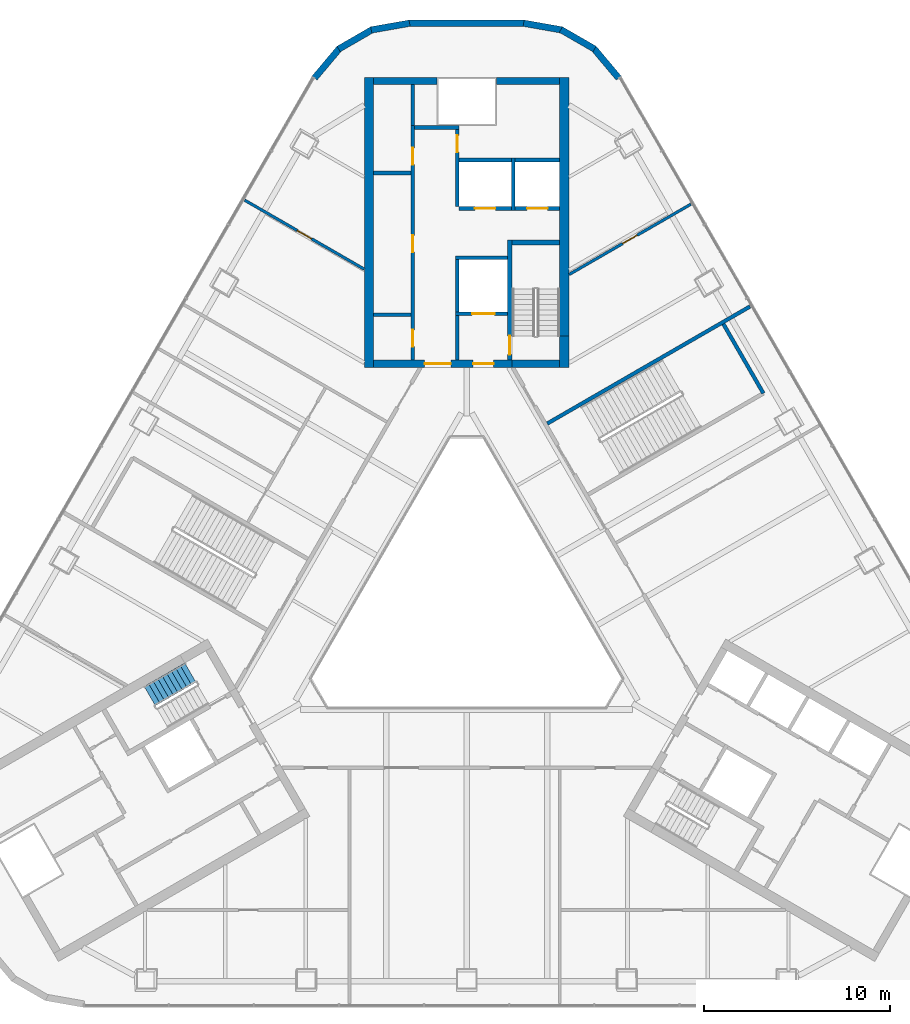
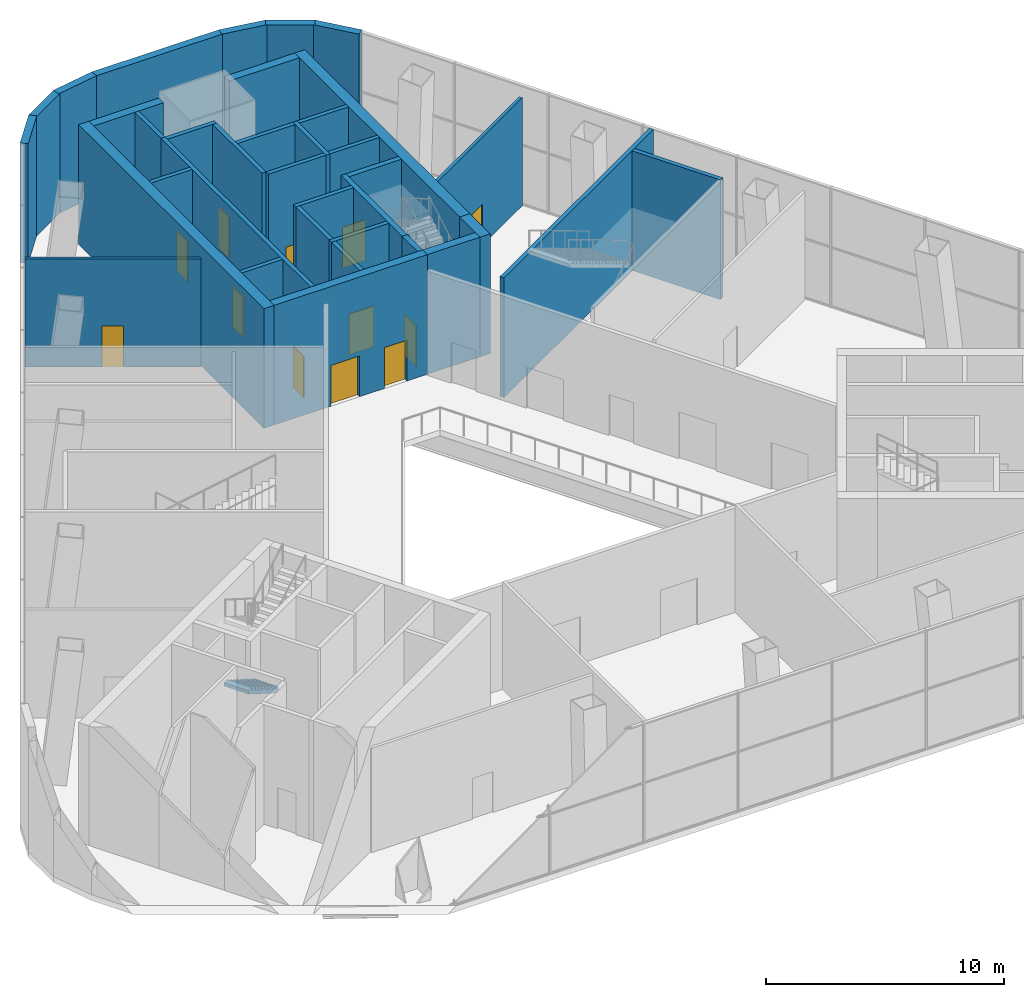
# One storey, part 13 of 17: 36 walls, 12 doors, 1 stair flight, 12 openings, 1 element without a shape of its own.
"""IFC4 building model written with IfcOpenShell, lengths in metres."""

from ifc_helpers import new_model, si_unit, direction, frame, frame_2d, origin, place, context, subcontext, project, spatial, polyline, rectangle, outline, extrude, material, layer, layer_set, type_object, element, fill, aggregate, save


model = new_model("IFC4")

# Units and contexts
model_context = context("Model", 3, precision=1e-05, world=origin(), true_north=direction((0.0, 1.0)))
body_context = subcontext(model_context, "Body", "Model", "MODEL_VIEW")
ifc_project = project(units=[si_unit("LENGTHUNIT", "METRE"), si_unit("AREAUNIT", "SQUARE_METRE"), si_unit("VOLUMEUNIT", "CUBIC_METRE"), si_unit("PLANEANGLEUNIT", "RADIAN"), si_unit("MASSUNIT", "GRAM", prefix="KILO")], contexts=[model_context])

# Site, building, storey
site_placement = place(None, origin())
site = spatial("IfcSite", under=ifc_project, at=site_placement, CompositionType="ELEMENT")
building_placement = place(site_placement, origin())
building = spatial("IfcBuilding", under=site, at=building_placement, Name="Apuvela Tower Hotel", CompositionType="ELEMENT")
storey_placement = place(building_placement, frame((0.0, 0.0, 9.0)))
storey = spatial("IfcBuildingStorey", under=building, at=storey_placement, Name="L01", CompositionType="ELEMENT", Elevation=9.0)

# Walls
ifc_material_1 = material(Name="Concrete C50/60", Category="concrete")
ifc_layer_1 = layer(ifc_material_1, 0.39990234375)
ifc_layer_set_1 = layer_set([ifc_layer_1], Name="COR-WALL-CORE-400")
wall_type_1 = type_object("IfcWallType", Name="COR-WALL-CORE-400", PredefinedType="SHEAR", material=ifc_layer_set_1)
for number, where, z_axis, x_axis, name in (
    (1, (-1.60009765625, 28.300048828125, 0.0), (0.0, 0.0, 1.0), (-1.0, 0.0, 0.0), "Core wall N"),
    (2, (5.0, 28.300048828125, 0.0), (0.0, 0.0, 1.0), (-1.0, 0.0, 0.0), "Core wall N"),
):
    element("IfcWall", number, at=place(storey_placement, frame(where, z_axis=z_axis, x_axis=x_axis)), inside=storey, type_object=wall_type_1, Name=name, PredefinedType="SHEAR", context=body_context, shape_type="SweptSolid", body=[
        extrude(rectangle(XDim=3.39990234375, YDim=0.39990234375, at=frame_2d((1.699951171875, 0.0))), origin(), (0.0, 0.0, 1.0), 6.14990234375),
    ])
wall_1_placement = place(storey_placement, frame((5.0, 13.10009765625, 0.0), z_axis=(0.0, 0.0, 1.0), x_axis=(-1.0, 0.0, 0.0)))
element("IfcWall", 3, at=wall_1_placement, inside=storey, type_object=wall_type_1, Name="Core wall N", PredefinedType="SHEAR", context=body_context, shape_type="SweptSolid", body=[
    extrude(rectangle(XDim=2.550048828125, YDim=0.39990234375, at=frame_2d((1.27490234375, 0.0))), origin(), (0.0, 0.0, 1.0), 6.14990234375),
])

# Wall, openings, doors
wall_2_placement = place(storey_placement, frame((2.449951171875, 13.10009765625, 0.0), z_axis=(0.0, 0.0, 1.0), x_axis=(-1.0, 0.0, 0.0)))
wall_2 = element("IfcWall", 4, at=wall_2_placement, inside=storey, type_object=wall_type_1, Name="Core wall N", PredefinedType="SHEAR", context=body_context, shape_type="SweptSolid", body=[
    extrude(rectangle(XDim=7.449951171875, YDim=0.39990234375, at=frame_2d((3.72509765625, 0.0))), origin(), (0.0, 0.0, 1.0), 6.14990234375),
])
opening_1_placement = place(wall_2_placement, frame((1.0, 0.0, 0.0)))
opening_1 = element("IfcOpeningElement", 5, at=opening_1_placement, cuts=wall_2, Name="Opening N-FD", PredefinedType="OPENING", context=body_context, shape_type="SweptSolid", body=[
    extrude(rectangle(XDim=1.10009765625, YDim=2.10009765625, at=frame_2d((0.550048828125, 1.050048828125))), frame((0.0, 0.2099609375, 0.0), z_axis=(0.0, -1.0, 0.0), x_axis=(1.0, 0.0, 0.0)), (0.0, 0.0, 1.0), 0.419921875),
])
opening_2_placement = place(wall_2_placement, frame((3.300048828125, 0.0, 0.0)))
opening_2 = element("IfcOpeningElement", 6, at=opening_2_placement, cuts=wall_2, Name="Opening N-GD", PredefinedType="OPENING", context=body_context, shape_type="SweptSolid", body=[
    extrude(rectangle(XDim=1.39990234375, YDim=2.10009765625, at=frame_2d((0.699951171875, 1.050048828125))), frame((0.0, 0.2099609375, 0.0), z_axis=(0.0, -1.0, 0.0), x_axis=(1.0, 0.0, 0.0)), (0.0, 0.0, 1.0), 0.419921875),
])
ifc_material_2 = material(Name="Steel fire door, powder coated", Category="steel")
door_type_1 = type_object("IfcDoorType", Name="COR-FD-1100", OperationType="NOTDEFINED", PredefinedType="DOOR", material=ifc_material_2)
door_1_placement = place(opening_1_placement, frame((1.10009765625, 0.0, 0.0), z_axis=(0.0, 0.0, 1.0), x_axis=(-1.0, 0.0, 0.0)))
door_1 = element("IfcDoor", 7, at=door_1_placement, inside=storey, type_object=door_type_1, Name="Firefighting lobby door N-FD", OperationType="SINGLE_SWING_LEFT", OverallHeight=2.10009765625, OverallWidth=1.10009765625, PredefinedType="DOOR", context=body_context, shape_type="SweptSolid", body=[
    extrude(rectangle(XDim=1.10009765625, YDim=2.10009765625, at=frame_2d((0.550048828125, 1.050048828125))), frame((0.0, 0.02490234375, 0.0), z_axis=(0.0, -1.0, 0.0), x_axis=(1.0, 0.0, 0.0)), (0.0, 0.0, 1.0), 0.050048828125),
])
fill(opening_1, door_1)
ifc_material_3 = material(Name="Glazed steel fire door", Category="steel")
door_type_2 = type_object("IfcDoorType", Name="COR-GD-1400", OperationType="DOUBLE_DOOR_SINGLE_SWING", PredefinedType="DOOR", material=ifc_material_3)
door_2_placement = place(opening_2_placement, frame((1.39990234375, 0.0, 0.0), z_axis=(0.0, 0.0, 1.0), x_axis=(-1.0, 0.0, 0.0)))
door_2 = element("IfcDoor", 8, at=door_2_placement, inside=storey, type_object=door_type_2, Name="Lift lobby door N-GD", OperationType="DOUBLE_DOOR_SINGLE_SWING", OverallHeight=2.10009765625, OverallWidth=1.39990234375, PredefinedType="DOOR", context=body_context, shape_type="SweptSolid", body=[
    extrude(rectangle(XDim=1.39990234375, YDim=2.10009765625, at=frame_2d((0.699951171875, 1.050048828125))), frame((0.0, 0.02490234375, 0.0), z_axis=(0.0, -1.0, 0.0), x_axis=(1.0, 0.0, 0.0)), (0.0, 0.0, 1.0), 0.050048828125),
])
fill(opening_2, door_2)

# Walls
ifc_layer_2 = layer(ifc_material_1, 0.5)
ifc_layer_set_2 = layer_set([ifc_layer_2], Name="COR-WALL-CORE-500")
wall_type_2 = type_object("IfcWallType", Name="COR-WALL-CORE-500", PredefinedType="SHEAR", material=ifc_layer_set_2)
wall_3_placement = place(storey_placement, frame((-5.25, 12.89990234375, 0.0), z_axis=(0.0, 0.0, 1.0), x_axis=(0.0, 1.0, 0.0)))
element("IfcWall", 9, at=wall_3_placement, inside=storey, type_object=wall_type_2, Name="Core wall N", PredefinedType="SHEAR", context=body_context, shape_type="SweptSolid", body=[
    extrude(rectangle(XDim=15.60009765625, YDim=0.5, at=frame_2d((7.800048828125, 0.0))), origin(), (0.0, 0.0, 1.0), 6.14990234375),
])
wall_4_placement = place(storey_placement, frame((5.25, 12.89990234375, 0.0), z_axis=(0.0, 0.0, 1.0), x_axis=(0.0, 1.0, 0.0)))
element("IfcWall", 10, at=wall_4_placement, inside=storey, type_object=wall_type_2, Name="Core wall N", PredefinedType="SHEAR", context=body_context, shape_type="SweptSolid", body=[
    extrude(rectangle(XDim=1.7060546875, YDim=0.5, at=frame_2d((0.85302734375, 0.0))), origin(), (0.0, 0.0, 1.0), 6.14990234375),
])
wall_5_placement = place(storey_placement, frame((5.25, 14.60595703125, 0.0), z_axis=(0.0, 0.0, 1.0), x_axis=(0.0, 1.0, 0.0)))
element("IfcWall", 11, at=wall_5_placement, inside=storey, type_object=wall_type_2, Name="Core wall N", PredefinedType="SHEAR", context=body_context, shape_type="SweptSolid", body=[
    extrude(rectangle(XDim=13.89404296875, YDim=0.5, at=frame_2d((6.947021484375, 0.0))), origin(), (0.0, 0.0, 1.0), 6.14990234375),
])

# Wall, opening, door
ifc_material_4 = material(Name="Blockwork 200 mm plastered", Category="masonry")
ifc_layer_3 = layer(ifc_material_4, 0.199951171875)
ifc_layer_set_3 = layer_set([ifc_layer_3], Name="COR-WALL-PART-200")
wall_type_3 = type_object("IfcWallType", Name="COR-WALL-PART-200", PredefinedType="PARTITIONING", material=ifc_layer_set_3)
wall_6_placement = place(storey_placement, frame((5.0, 21.449951171875, 0.0), z_axis=(0.0, 0.0, 1.0), x_axis=(-1.0, 0.0, 0.0)))
wall_6 = element("IfcWall", 12, at=wall_6_placement, inside=storey, type_object=wall_type_3, Name="Partition N", PredefinedType="PARTITIONING", context=body_context, shape_type="SweptSolid", body=[
    extrude(rectangle(XDim=2.39990234375, YDim=0.199951171875, at=frame_2d((1.199951171875, 0.0))), origin(), (0.0, 0.0, 1.0), 6.14990234375),
])
opening_3_placement = place(wall_6_placement, frame((0.64990234375, 0.0, 0.0)))
opening_3 = element("IfcOpeningElement", 13, at=opening_3_placement, cuts=wall_6, Name="Opening N-LD-SH1", PredefinedType="OPENING", context=body_context, shape_type="SweptSolid", body=[
    extrude(rectangle(XDim=1.10009765625, YDim=2.10009765625, at=frame_2d((0.550048828125, 1.050048828125))), frame((0.0, 0.10986328125, 0.0), z_axis=(0.0, -1.0, 0.0), x_axis=(1.0, 0.0, 0.0)), (0.0, 0.0, 1.0), 0.219970703125),
])
ifc_material_5 = material(Name="Stainless steel lift landing door", Category="steel")
door_type_3 = type_object("IfcDoorType", Name="COR-LD-1100", OperationType="DOUBLE_DOOR_SLIDING", PredefinedType="DOOR", material=ifc_material_5)
door_3_placement = place(opening_3_placement, origin())
door_3 = element("IfcDoor", 14, at=door_3_placement, inside=storey, type_object=door_type_3, Name="Lift landing door N-LD-SH1", OperationType="DOUBLE_DOOR_SLIDING", OverallHeight=2.10009765625, OverallWidth=1.10009765625, PredefinedType="DOOR", context=body_context, shape_type="SweptSolid", body=[
    extrude(rectangle(XDim=1.10009765625, YDim=2.10009765625, at=frame_2d((0.550048828125, 1.050048828125))), frame((0.0, 0.02490234375, 0.0), z_axis=(0.0, -1.0, 0.0), x_axis=(1.0, 0.0, 0.0)), (0.0, 0.0, 1.0), 0.050048828125),
])
fill(opening_3, door_3)

wall_7_placement = place(storey_placement, frame((2.39990234375, 21.449951171875, 0.0), z_axis=(0.0, 0.0, 1.0), x_axis=(-1.0, 0.0, 0.0)))
wall_7 = element("IfcWall", 15, at=wall_7_placement, inside=storey, type_object=wall_type_3, Name="Partition N", PredefinedType="PARTITIONING", context=body_context, shape_type="SweptSolid", body=[
    extrude(rectangle(XDim=2.7998046875, YDim=0.199951171875, at=frame_2d((1.39990234375, 0.0))), origin(), (0.0, 0.0, 1.0), 6.14990234375),
])
opening_4_placement = place(wall_7_placement, frame((0.85009765625, 0.0, 0.0)))
opening_4 = element("IfcOpeningElement", 16, at=opening_4_placement, cuts=wall_7, Name="Opening N-LD-SH2", PredefinedType="OPENING", context=body_context, shape_type="SweptSolid", body=[
    extrude(rectangle(XDim=1.10009765625, YDim=2.10009765625, at=frame_2d((0.550048828125, 1.050048828125))), frame((0.0, 0.10986328125, 0.0), z_axis=(0.0, -1.0, 0.0), x_axis=(1.0, 0.0, 0.0)), (0.0, 0.0, 1.0), 0.219970703125),
])
door_4_placement = place(opening_4_placement, origin())
door_4 = element("IfcDoor", 17, at=door_4_placement, inside=storey, type_object=door_type_3, Name="Lift landing door N-LD-SH2", OperationType="DOUBLE_DOOR_SLIDING", OverallHeight=2.10009765625, OverallWidth=1.10009765625, PredefinedType="DOOR", context=body_context, shape_type="SweptSolid", body=[
    extrude(rectangle(XDim=1.10009765625, YDim=2.10009765625, at=frame_2d((0.550048828125, 1.050048828125))), frame((0.0, 0.02490234375, 0.0), z_axis=(0.0, -1.0, 0.0), x_axis=(1.0, 0.0, 0.0)), (0.0, 0.0, 1.0), 0.050048828125),
])
fill(opening_4, door_4)

# Wall
ifc_layer_4 = layer(ifc_material_1, 0.199951171875)
ifc_layer_set_4 = layer_set([ifc_layer_4], Name="COR-WALL-SHAFT-200")
wall_type_4 = type_object("IfcWallType", Name="COR-WALL-SHAFT-200", PredefinedType="SHEAR", material=ifc_layer_set_4)
wall_8_placement = place(storey_placement, frame((2.199951171875, 18.800048828125, 0.0), z_axis=(0.0, 0.0, 1.0), x_axis=(-1.0, 0.0, 0.0)))
element("IfcWall", 18, at=wall_8_placement, inside=storey, type_object=wall_type_4, Name="Shaft wall N", PredefinedType="SHEAR", context=body_context, shape_type="SweptSolid", body=[
    extrude(rectangle(XDim=2.800048828125, YDim=0.199951171875, at=frame_2d((1.39990234375, 0.0))), origin(), (0.0, 0.0, 1.0), 6.14990234375),
])

# Wall, opening, door
wall_9_placement = place(storey_placement, frame((2.199951171875, 15.800048828125, 0.0), z_axis=(0.0, 0.0, 1.0), x_axis=(-1.0, 0.0, 0.0)))
wall_9 = element("IfcWall", 19, at=wall_9_placement, inside=storey, type_object=wall_type_4, Name="Shaft wall N", PredefinedType="SHEAR", context=body_context, shape_type="SweptSolid", body=[
    extrude(rectangle(XDim=2.800048828125, YDim=0.199951171875, at=frame_2d((1.39990234375, 0.0))), origin(), (0.0, 0.0, 1.0), 6.14990234375),
])
opening_5_placement = place(wall_9_placement, frame((0.699951171875, 0.0, 0.0)))
opening_5 = element("IfcOpeningElement", 20, at=opening_5_placement, cuts=wall_9, Name="Opening N-LD-FS1", PredefinedType="OPENING", context=body_context, shape_type="SweptSolid", body=[
    extrude(rectangle(XDim=1.199951171875, YDim=2.10009765625, at=frame_2d((0.60009765625, 1.050048828125))), frame((0.0, 0.10986328125, 0.0), z_axis=(0.0, -1.0, 0.0), x_axis=(1.0, 0.0, 0.0)), (0.0, 0.0, 1.0), 0.219970703125),
])
door_type_4 = type_object("IfcDoorType", Name="COR-LD-1200", OperationType="DOUBLE_DOOR_SLIDING", PredefinedType="DOOR", material=ifc_material_5)
door_5_placement = place(opening_5_placement, origin())
door_5 = element("IfcDoor", 21, at=door_5_placement, inside=storey, type_object=door_type_4, Name="Lift landing door N-LD-FS1", OperationType="DOUBLE_DOOR_SLIDING", OverallHeight=2.10009765625, OverallWidth=1.199951171875, PredefinedType="DOOR", context=body_context, shape_type="SweptSolid", body=[
    extrude(rectangle(XDim=1.199951171875, YDim=2.10009765625, at=frame_2d((0.60009765625, 1.050048828125))), frame((0.0, 0.02490234375, 0.0), z_axis=(0.0, -1.0, 0.0), x_axis=(1.0, 0.0, 0.0)), (0.0, 0.0, 1.0), 0.050048828125),
])
fill(opening_5, door_5)

# Walls
wall_10_placement = place(storey_placement, frame((-0.5, 15.89990234375, 0.0), z_axis=(0.0, 0.0, 1.0), x_axis=(0.0, 1.0, 0.0)))
element("IfcWall", 22, at=wall_10_placement, inside=storey, type_object=wall_type_4, Name="Shaft wall N", PredefinedType="SHEAR", context=body_context, shape_type="SweptSolid", body=[
    extrude(rectangle(XDim=2.800048828125, YDim=0.199951171875, at=frame_2d((1.39990234375, 0.0))), origin(), (0.0, 0.0, 1.0), 6.14990234375),
])
wall_11_placement = place(storey_placement, frame((-0.5, 13.300048828125, 0.0), z_axis=(0.0, 0.0, 1.0), x_axis=(0.0, 1.0, 0.0)))
element("IfcWall", 23, at=wall_11_placement, inside=storey, type_object=wall_type_4, Name="Shaft wall N", PredefinedType="SHEAR", context=body_context, shape_type="SweptSolid", body=[
    extrude(rectangle(XDim=2.39990234375, YDim=0.199951171875, at=frame_2d((1.199951171875, 0.0))), origin(), (0.0, 0.0, 1.0), 6.14990234375),
])

# Wall, openings, doors
wall_12_placement = place(storey_placement, frame((-2.89990234375, 13.300048828125, 0.0), z_axis=(0.0, 0.0, 1.0), x_axis=(0.0, 1.0, 0.0)))
wall_12 = element("IfcWall", 24, at=wall_12_placement, inside=storey, type_object=wall_type_4, Name="Shaft wall N", PredefinedType="SHEAR", context=body_context, shape_type="SweptSolid", body=[
    extrude(rectangle(XDim=12.599853515625, YDim=0.199951171875, at=frame_2d((6.2998046875, 0.0))), origin(), (0.0, 0.0, 1.0), 6.14990234375),
])
opening_6_placement = place(wall_12_placement, frame((0.719970703125, 0.0, 0.0)))
opening_6 = element("IfcOpeningElement", 25, at=opening_6_placement, cuts=wall_12, Name="Opening N-RE1", PredefinedType="OPENING", context=body_context, shape_type="SweptSolid", body=[
    extrude(rectangle(XDim=0.89990234375, YDim=2.10009765625, at=frame_2d((0.449951171875, 1.050048828125))), frame((0.0, 0.10986328125, 0.0), z_axis=(0.0, -1.0, 0.0), x_axis=(1.0, 0.0, 0.0)), (0.0, 0.0, 1.0), 0.219970703125),
])
opening_7_placement = place(wall_12_placement, frame((5.800048828125, 0.0, 0.0)))
opening_7 = element("IfcOpeningElement", 26, at=opening_7_placement, cuts=wall_12, Name="Opening N-RE2", PredefinedType="OPENING", context=body_context, shape_type="SweptSolid", body=[
    extrude(rectangle(XDim=0.89990234375, YDim=2.10009765625, at=frame_2d((0.449951171875, 1.050048828125))), frame((0.0, 0.10986328125, 0.0), z_axis=(0.0, -1.0, 0.0), x_axis=(1.0, 0.0, 0.0)), (0.0, 0.0, 1.0), 0.219970703125),
])
opening_8_placement = place(wall_12_placement, frame((10.510009765625, 0.0, 0.0)))
opening_8 = element("IfcOpeningElement", 27, at=opening_8_placement, cuts=wall_12, Name="Opening N-REP", PredefinedType="OPENING", context=body_context, shape_type="SweptSolid", body=[
    extrude(rectangle(XDim=0.89990234375, YDim=2.10009765625, at=frame_2d((0.449951171875, 1.050048828125))), frame((0.0, 0.10986328125, 0.0), z_axis=(0.0, -1.0, 0.0), x_axis=(1.0, 0.0, 0.0)), (0.0, 0.0, 1.0), 0.219970703125),
])
door_type_5 = type_object("IfcDoorType", Name="COR-DR-900", OperationType="NOTDEFINED", PredefinedType="DOOR", material=ifc_material_2)
door_6_placement = place(opening_6_placement, origin())
door_6 = element("IfcDoor", 28, at=door_6_placement, inside=storey, type_object=door_type_5, Name="Store door N-RE1", OperationType="SINGLE_SWING_LEFT", OverallHeight=2.10009765625, OverallWidth=0.89990234375, PredefinedType="DOOR", context=body_context, shape_type="SweptSolid", body=[
    extrude(rectangle(XDim=0.89990234375, YDim=2.10009765625, at=frame_2d((0.449951171875, 1.050048828125))), frame((0.0, 0.02490234375, 0.0), z_axis=(0.0, -1.0, 0.0), x_axis=(1.0, 0.0, 0.0)), (0.0, 0.0, 1.0), 0.050048828125),
])
fill(opening_6, door_6)
door_7_placement = place(opening_7_placement, origin())
door_7 = element("IfcDoor", 29, at=door_7_placement, inside=storey, type_object=door_type_5, Name="Store door N-RE2", OperationType="SINGLE_SWING_RIGHT", OverallHeight=2.10009765625, OverallWidth=0.89990234375, PredefinedType="DOOR", context=body_context, shape_type="SweptSolid", body=[
    extrude(rectangle(XDim=0.89990234375, YDim=2.10009765625, at=frame_2d((0.449951171875, 1.050048828125))), frame((0.0, 0.02490234375, 0.0), z_axis=(0.0, -1.0, 0.0), x_axis=(1.0, 0.0, 0.0)), (0.0, 0.0, 1.0), 0.050048828125),
])
fill(opening_7, door_7)
door_8_placement = place(opening_8_placement, origin())
door_8 = element("IfcDoor", 30, at=door_8_placement, inside=storey, type_object=door_type_5, Name="Store door N-REP", OperationType="SINGLE_SWING_RIGHT", OverallHeight=2.10009765625, OverallWidth=0.89990234375, PredefinedType="DOOR", context=body_context, shape_type="SweptSolid", body=[
    extrude(rectangle(XDim=0.89990234375, YDim=2.10009765625, at=frame_2d((0.449951171875, 1.050048828125))), frame((0.0, 0.02490234375, 0.0), z_axis=(0.0, -1.0, 0.0), x_axis=(1.0, 0.0, 0.0)), (0.0, 0.0, 1.0), 0.050048828125),
])
fill(opening_8, door_8)

# Wall
wall_13_placement = place(storey_placement, frame((-0.39990234375, 25.800048828125, 0.0), z_axis=(0.0, 0.0, 1.0), x_axis=(-1.0, 0.0, 0.0)))
element("IfcWall", 31, at=wall_13_placement, inside=storey, type_object=wall_type_4, Name="Shaft wall N", PredefinedType="SHEAR", context=body_context, shape_type="SweptSolid", body=[
    extrude(rectangle(XDim=2.400146484375, YDim=0.199951171875, at=frame_2d((1.2001953125, 0.0))), origin(), (0.0, 0.0, 1.0), 6.14990234375),
])

# Wall, opening, door
wall_14_placement = place(storey_placement, frame((-0.5, 21.550048828125, 0.0), z_axis=(0.0, 0.0, 1.0), x_axis=(0.0, 1.0, 0.0)))
wall_14 = element("IfcWall", 32, at=wall_14_placement, inside=storey, type_object=wall_type_4, Name="Shaft wall N", PredefinedType="SHEAR", context=body_context, shape_type="SweptSolid", body=[
    extrude(rectangle(XDim=4.14990234375, YDim=0.199951171875, at=frame_2d((2.074951171875, 0.0))), origin(), (0.0, 0.0, 1.0), 6.14990234375),
])
opening_9_placement = place(wall_14_placement, frame((2.925048828125, 0.0, 0.0)))
opening_9 = element("IfcOpeningElement", 33, at=opening_9_placement, cuts=wall_14, Name="Opening N-RSP", PredefinedType="OPENING", context=body_context, shape_type="SweptSolid", body=[
    extrude(rectangle(XDim=0.89990234375, YDim=2.10009765625, at=frame_2d((0.449951171875, 1.050048828125))), frame((0.0, 0.10986328125, 0.0), z_axis=(0.0, -1.0, 0.0), x_axis=(1.0, 0.0, 0.0)), (0.0, 0.0, 1.0), 0.219970703125),
])
door_9_placement = place(opening_9_placement, frame((0.89990234375, 0.0, 0.0), z_axis=(0.0, 0.0, 1.0), x_axis=(-1.0, 0.0, 0.0)))
door_9 = element("IfcDoor", 34, at=door_9_placement, inside=storey, type_object=door_type_5, Name="Store door N-RSP", OperationType="SINGLE_SWING_LEFT", OverallHeight=2.10009765625, OverallWidth=0.89990234375, PredefinedType="DOOR", context=body_context, shape_type="SweptSolid", body=[
    extrude(rectangle(XDim=0.89990234375, YDim=2.10009765625, at=frame_2d((0.449951171875, 1.050048828125))), frame((0.0, 0.02490234375, 0.0), z_axis=(0.0, -1.0, 0.0), x_axis=(1.0, 0.0, 0.0)), (0.0, 0.0, 1.0), 0.050048828125),
])
fill(opening_9, door_9)

# Walls
for number, where, z_axis, x_axis, name in (
    (35, (-3.0, 15.739990234375, 0.0), (0.0, 0.0, 1.0), (-1.0, 0.0, 0.0), "Shaft wall N"),
    (36, (-3.0, 23.360107421875, 0.0), (0.0, 0.0, 1.0), (-1.0, 0.0, 0.0), "Shaft wall N"),
):
    element("IfcWall", number, at=place(storey_placement, frame(where, z_axis=z_axis, x_axis=x_axis)), inside=storey, type_object=wall_type_4, Name=name, PredefinedType="SHEAR", context=body_context, shape_type="SweptSolid", body=[
        extrude(rectangle(XDim=2.0, YDim=0.199951171875, at=frame_2d((1.0, 0.0))), origin(), (0.0, 0.0, 1.0), 6.14990234375),
    ])
wall_15_placement = place(storey_placement, frame((-2.89990234375, 25.89990234375, 0.0), z_axis=(0.0, 0.0, 1.0), x_axis=(0.0, 1.0, 0.0)))
element("IfcWall", 37, at=wall_15_placement, inside=storey, type_object=wall_type_4, Name="Shaft wall N", PredefinedType="SHEAR", context=body_context, shape_type="SweptSolid", body=[
    extrude(rectangle(XDim=2.2001953125, YDim=0.199951171875, at=frame_2d((1.10009765625, 0.0))), origin(), (0.0, 0.0, 1.0), 6.14990234375),
])
wall_16_placement = place(storey_placement, frame((2.5, 21.35009765625, 0.0), z_axis=(0.0, 0.0, 1.0), x_axis=(0.0, 1.0, 0.0)))
element("IfcWall", 38, at=wall_16_placement, inside=storey, type_object=wall_type_4, Name="Shaft wall N", PredefinedType="SHEAR", context=body_context, shape_type="SweptSolid", body=[
    extrude(rectangle(XDim=2.7998046875, YDim=0.199951171875, at=frame_2d((1.39990234375, 0.0))), origin(), (0.0, 0.0, 1.0), 6.14990234375),
])
wall_17_placement = place(storey_placement, frame((5.0, 24.050048828125, 0.0), z_axis=(0.0, 0.0, 1.0), x_axis=(-1.0, 0.0, 0.0)))
element("IfcWall", 39, at=wall_17_placement, inside=storey, type_object=wall_type_4, Name="Shaft wall N", PredefinedType="SHEAR", context=body_context, shape_type="SweptSolid", body=[
    extrude(rectangle(XDim=2.39990234375, YDim=0.199951171875, at=frame_2d((1.199951171875, 0.0))), origin(), (0.0, 0.0, 1.0), 6.14990234375),
])
wall_18_placement = place(storey_placement, frame((2.39990234375, 24.050048828125, 0.0), z_axis=(0.0, 0.0, 1.0), x_axis=(-1.0, 0.0, 0.0)))
element("IfcWall", 40, at=wall_18_placement, inside=storey, type_object=wall_type_4, Name="Shaft wall N", PredefinedType="SHEAR", context=body_context, shape_type="SweptSolid", body=[
    extrude(rectangle(XDim=2.7998046875, YDim=0.199951171875, at=frame_2d((1.39990234375, 0.0))), origin(), (0.0, 0.0, 1.0), 6.14990234375),
])
ifc_layer_5 = layer(ifc_material_1, 0.25)
ifc_layer_set_5 = layer_set([ifc_layer_5], Name="COR-WALL-STAIR-250")
wall_type_5 = type_object("IfcWallType", Name="COR-WALL-STAIR-250", PredefinedType="SHEAR", material=ifc_layer_set_5)
wall_19_placement = place(storey_placement, frame((5.0, 19.625, 0.0), z_axis=(0.0, 0.0, 1.0), x_axis=(-1.0, 0.0, 0.0)))
element("IfcWall", 41, at=wall_19_placement, inside=storey, type_object=wall_type_5, Name="Stair wall N", PredefinedType="SHEAR", context=body_context, shape_type="SweptSolid", body=[
    extrude(rectangle(XDim=2.550048828125, YDim=0.25, at=frame_2d((1.27490234375, 0.0))), origin(), (0.0, 0.0, 1.0), 6.14990234375),
])

# Wall, opening, door
wall_20_placement = place(storey_placement, frame((2.324951171875, 13.300048828125, 0.0), z_axis=(0.0, 0.0, 1.0), x_axis=(0.0, 1.0, 0.0)))
wall_20 = element("IfcWall", 42, at=wall_20_placement, inside=storey, type_object=wall_type_5, Name="Stair wall N", PredefinedType="SHEAR", context=body_context, shape_type="SweptSolid", body=[
    extrude(rectangle(XDim=1.305908203125, YDim=0.25, at=frame_2d((0.65283203125, 0.0))), origin(), (0.0, 0.0, 1.0), 6.14990234375),
])
opening_10_placement = place(wall_20_placement, frame((0.300048828125, 0.0, 0.0)))
opening_10 = element("IfcOpeningElement", 43, at=opening_10_placement, cuts=wall_20, Name="Opening N-SD", PredefinedType="OPENING", context=body_context, shape_type="SweptSolid", body=[
    extrude(rectangle(XDim=1.0, YDim=2.10009765625, at=frame_2d((0.5, 1.050048828125))), frame((0.0, 0.135009765625, 0.0), z_axis=(0.0, -1.0, 0.0), x_axis=(1.0, 0.0, 0.0)), (0.0, 0.0, 1.0), 0.27001953125),
])
door_type_6 = type_object("IfcDoorType", Name="COR-SD-1000", OperationType="NOTDEFINED", PredefinedType="DOOR", material=ifc_material_2)
door_10_placement = place(opening_10_placement, frame((1.0, 0.0, 0.0), z_axis=(0.0, 0.0, 1.0), x_axis=(-1.0, 0.0, 0.0)))
door_10 = element("IfcDoor", 44, at=door_10_placement, inside=storey, type_object=door_type_6, Name="Stair door N-SD", OperationType="SINGLE_SWING_LEFT", OverallHeight=2.10009765625, OverallWidth=1.0, PredefinedType="DOOR", context=body_context, shape_type="SweptSolid", body=[
    extrude(rectangle(XDim=1.0, YDim=2.10009765625, at=frame_2d((0.5, 1.050048828125))), frame((0.0, 0.02490234375, 0.0), z_axis=(0.0, -1.0, 0.0), x_axis=(1.0, 0.0, 0.0)), (0.0, 0.0, 1.0), 0.050048828125),
])
fill(opening_10, door_10)

# Walls
wall_21_placement = place(storey_placement, frame((2.324951171875, 14.60595703125, 0.0), z_axis=(0.0, 0.0, 1.0), x_axis=(0.0, 1.0, 0.0)))
element("IfcWall", 45, at=wall_21_placement, inside=storey, type_object=wall_type_5, Name="Stair wall N", PredefinedType="SHEAR", context=body_context, shape_type="SweptSolid", body=[
    extrude(rectangle(XDim=5.14404296875, YDim=0.25, at=frame_2d((2.572021484375, 0.0))), origin(), (0.0, 0.0, 1.0), 6.14990234375),
])
ifc_material_6 = material(Name="Concrete C40/50, dark pigmented precast panel", Category="concrete")
ifc_layer_6 = layer(ifc_material_6, 0.35009765625)
ifc_layer_set_6 = layer_set([ifc_layer_6], Name="ENV-WALL-350")
wall_type_6 = type_object("IfcWallType", Name="ENV-WALL-350", PredefinedType="SOLIDWALL", material=ifc_layer_set_6)
for number, where, z_axis, x_axis, name in (
    (46, (6.876220703125, 30.017822265625, 0.0), (0.0, 0.0, 1.0), (-0.865998843614, 0.500046000743, 0.0), "External wall L01-01"),
    (47, (5.123291015625, 31.0419921875, 0.0), (0.0, 0.0, 1.0), (-0.984800017134, 0.173692044298, 0.0), "External wall L01-02"),
):
    element("IfcWall", number, at=place(storey_placement, frame(where, z_axis=z_axis, x_axis=x_axis)), inside=storey, type_object=wall_type_6, Name=name, PredefinedType="SOLIDWALL", context=body_context, shape_type="SweptSolid", body=[
        extrude(rectangle(XDim=2.090087890625, YDim=0.35009765625, at=frame_2d((1.044921875, 0.0))), origin(), (0.0, 0.0, 1.0), 6.14990234375),
    ])
wall_22_placement = place(storey_placement, frame((3.095458984375, 31.40234375, 0.0), z_axis=(0.0, 0.0, 1.0), x_axis=(-1.0, 0.0, 0.0)))
element("IfcWall", 48, at=wall_22_placement, inside=storey, type_object=wall_type_6, Name="External wall L01-03", PredefinedType="SOLIDWALL", context=body_context, shape_type="SweptSolid", body=[
    extrude(rectangle(XDim=6.19091796875, YDim=0.35009765625, at=frame_2d((3.095458984375, 0.0))), origin(), (0.0, 0.0, 1.0), 6.14990234375),
])
for number, where, z_axis, x_axis, name in (
    (49, (-3.06494140625, 31.405029296875, 0.0), (0.0, 0.0, 1.0), (-0.984800017134, -0.173692044298, 0.0), "External wall L01-04"),
    (50, (-5.066162109375, 31.06298828125, 0.0), (0.0, 0.0, 1.0), (-0.865998843614, -0.500046000743, 0.0), "External wall L01-05"),
):
    element("IfcWall", number, at=place(storey_placement, frame(where, z_axis=z_axis, x_axis=x_axis)), inside=storey, type_object=wall_type_6, Name=name, PredefinedType="SOLIDWALL", context=body_context, shape_type="SweptSolid", body=[
        extrude(rectangle(XDim=2.090087890625, YDim=0.35009765625, at=frame_2d((1.044921875, 0.0))), origin(), (0.0, 0.0, 1.0), 6.14990234375),
    ])
for number, where, z_axis, x_axis, name in (
    (51, (-6.82958984375, 30.056884765625, 0.0), (0.0, 0.0, 1.0), (-0.642857785448, -0.765985553186, 0.0), "External wall L01-06"),
    (52, (8.173095703125, 28.4560546875, 0.0), (0.0, 0.0, 1.0), (-0.642857785448, 0.765985553186, 0.0), "External wall L01-24"),
):
    element("IfcWall", number, at=place(storey_placement, frame(where, z_axis=z_axis, x_axis=x_axis)), inside=storey, type_object=wall_type_6, Name=name, PredefinedType="SOLIDWALL", context=body_context, shape_type="SweptSolid", body=[
        extrude(rectangle(XDim=2.08984375, YDim=0.35009765625, at=frame_2d((1.044921875, 0.0))), origin(), (0.0, 0.0, 1.0), 6.14990234375),
    ])

# Wall, opening, door
ifc_material_7 = material(Name="Gypsum board partition on steel stud", Category="steel")
ifc_layer_7 = layer(ifc_material_7, 0.14990234375)
ifc_layer_set_7 = layer_set([ifc_layer_7], Name="SPC-WALL-PARTITION")
wall_type_7 = type_object("IfcWallType", Name="SPC-WALL-PARTITION", PredefinedType="PARTITIONING", material=ifc_layer_set_7)
wall_23_placement = place(storey_placement, frame((12.052490234375, 21.680908203125, 0.0), z_axis=(0.0, 0.0, 1.0), x_axis=(-0.866018471794, -0.500012006368, 0.0)))
wall_23 = element("IfcWall", 53, at=wall_23_placement, inside=storey, type_object=wall_type_7, Name="Wall L01-NE-P05", PredefinedType="PARTITIONING", context=body_context, shape_type="SweptSolid", body=[
    extrude(rectangle(XDim=7.566162109375, YDim=0.14990234375, at=frame_2d((3.783203125, 0.0))), origin(), (0.0, 0.0, 1.0), 5.550048828125),
])
opening_11_placement = place(wall_23_placement, frame((3.333251953125, 0.0, 0.0)))
opening_11 = element("IfcOpeningElement", 54, at=opening_11_placement, cuts=wall_23, Name="Opening L01-S06", PredefinedType="OPENING", context=body_context, shape_type="SweptSolid", body=[
    extrude(rectangle(XDim=0.89990234375, YDim=2.10009765625, at=frame_2d((0.449951171875, 1.050048828125))), frame((0.0, 0.0849609375, 0.0), z_axis=(0.0, -1.0, 0.0), x_axis=(1.0, 0.0, 0.0)), (0.0, 0.0, 1.0), 0.169921875),
])
ifc_material_8 = material(Name="Hardwood veneer door leaf", Category="wood")
door_type_7 = type_object("IfcDoorType", Name="SPC-DOOR-900", OperationType="NOTDEFINED", PredefinedType="DOOR", material=ifc_material_8)
door_11_placement = place(opening_11_placement, frame((0.89990234375, 0.0, 0.0), z_axis=(0.0, 0.0, 1.0), x_axis=(-1.0, 0.0, 0.0)))
door_11 = element("IfcDoor", 55, at=door_11_placement, inside=storey, type_object=door_type_7, Name="L01-S06", OperationType="SINGLE_SWING_RIGHT", OverallHeight=2.10009765625, OverallWidth=0.89990234375, PredefinedType="DOOR", context=body_context, shape_type="SweptSolid", body=[
    extrude(rectangle(XDim=0.89990234375, YDim=2.10009765625, at=frame_2d((0.449951171875, 1.050048828125))), frame((0.0, 0.02490234375, 0.0), z_axis=(0.0, -1.0, 0.0), x_axis=(1.0, 0.0, 0.0)), (0.0, 0.0, 1.0), 0.050048828125),
])
fill(opening_11, door_11)

wall_24_placement = place(storey_placement, frame((-11.927490234375, 21.8974609375, 0.0), z_axis=(0.0, 0.0, 1.0), x_axis=(0.866023987038, -0.500002453868, 0.0)))
wall_24 = element("IfcWall", 56, at=wall_24_placement, inside=storey, type_object=wall_type_7, Name="Wall L01-NW-P03", PredefinedType="PARTITIONING", context=body_context, shape_type="SweptSolid", body=[
    extrude(rectangle(XDim=7.421875, YDim=0.14990234375, at=frame_2d((3.7109375, 0.0))), origin(), (0.0, 0.0, 1.0), 5.550048828125),
])
opening_12_placement = place(wall_24_placement, frame((3.260986328125, 0.0, 0.0)))
opening_12 = element("IfcOpeningElement", 57, at=opening_12_placement, cuts=wall_24, Name="Opening L01-S16", PredefinedType="OPENING", context=body_context, shape_type="SweptSolid", body=[
    extrude(rectangle(XDim=0.89990234375, YDim=2.10009765625, at=frame_2d((0.449951171875, 1.050048828125))), frame((0.0, 0.0849609375, 0.0), z_axis=(0.0, -1.0, 0.0), x_axis=(1.0, 0.0, 0.0)), (0.0, 0.0, 1.0), 0.169921875),
])
door_12_placement = place(opening_12_placement, origin())
door_12 = element("IfcDoor", 58, at=door_12_placement, inside=storey, type_object=door_type_7, Name="L01-S16", OperationType="SINGLE_SWING_LEFT", OverallHeight=2.10009765625, OverallWidth=0.89990234375, PredefinedType="DOOR", context=body_context, shape_type="SweptSolid", body=[
    extrude(rectangle(XDim=0.89990234375, YDim=2.10009765625, at=frame_2d((0.449951171875, 1.050048828125))), frame((0.0, 0.02490234375, 0.0), z_axis=(0.0, -1.0, 0.0), x_axis=(1.0, 0.0, 0.0)), (0.0, 0.0, 1.0), 0.050048828125),
])
fill(opening_12, door_12)

# Walls
ifc_material_9 = material(Name="Concrete C40/50", Category="concrete")
ifc_layer_8 = layer(ifc_material_9, 0.199951171875)
ifc_layer_set_8 = layer_set([ifc_layer_8], Name="SPC-WALL-STAIR")
wall_type_8 = type_object("IfcWallType", Name="SPC-WALL-STAIR", PredefinedType="SOLIDWALL", material=ifc_layer_set_8)
wall_25_placement = place(storey_placement, frame((15.947998046875, 11.51708984375, 0.0), z_axis=(0.0, 0.0, 1.0), x_axis=(-0.499986217557, 0.866033360935, 0.0)))
element("IfcWall", 59, at=wall_25_placement, inside=storey, type_object=wall_type_8, Name="Wall L01-NE-P01", PredefinedType="SOLIDWALL", context=body_context, shape_type="SweptSolid", body=[
    extrude(rectangle(XDim=4.2998046875, YDim=0.199951171875, at=frame_2d((2.14990234375, 0.0))), origin(), (0.0, 0.0, 1.0), 6.14990234375),
])
wall_26_placement = place(storey_placement, frame((15.2275390625, 16.181640625, 0.0), z_axis=(0.0, 0.0, 1.0), x_axis=(-0.866027204995, -0.499996880198, 0.0)))
element("IfcWall", 60, at=wall_26_placement, inside=storey, type_object=wall_type_8, Name="Wall L01-NE-P04", PredefinedType="SOLIDWALL", context=body_context, shape_type="SweptSolid", body=[
    extrude(rectangle(XDim=12.578125, YDim=0.199951171875, at=frame_2d((6.2890625, 0.0))), origin(), (0.0, 0.0, 1.0), 6.14990234375),
])

# Stair, stair flight
stair_type = type_object("IfcStairType", Name="COR-STAIR-40R", PredefinedType="HALF_TURN_STAIR", material=ifc_material_1)
stair_placement = place(storey_placement, origin())
stair = element("IfcStair", 61, at=stair_placement, inside=storey, type_object=stair_type, Name="L01 Exit stair ST2", PredefinedType="HALF_TURN_STAIR")
stair_flight_type = type_object("IfcStairFlightType", Name="COR-FLIGHT-10R", PredefinedType="STRAIGHT", material=ifc_material_1)
stair_flight_placement = place(storey_placement, frame((-14.843994140625, -3.489501953125, 0.0), z_axis=(0.0, 0.0, 1.0), x_axis=(-0.866025403784, -0.5, 0.0)))
stair_flight = element("IfcStairFlight", 62, at=stair_flight_placement, type_object=stair_flight_type, Name="ST2 flight 1", NumberOfRisers=10, NumberOfTreads=9, PredefinedType="STRAIGHT", RiserHeight=0.1625, TreadLength=0.28, context=body_context, shape_type="SweptSolid", body=[
    extrude(outline(polyline([(0.0, 0.0), (0.0, 0.16259765625), (0.280029296875, 0.16259765625), (0.280029296875, 0.324951171875), (0.56005859375, 0.324951171875), (0.56005859375, 0.487548828125), (0.840087890625, 0.487548828125), (0.840087890625, 0.64990234375), (1.1201171875, 0.64990234375), (1.1201171875, 0.8125), (1.39990234375, 0.8125), (1.39990234375, 0.97509765625), (1.679931640625, 0.97509765625), (1.679931640625, 1.137451171875), (1.9599609375, 1.137451171875), (1.9599609375, 1.300048828125), (2.239990234375, 1.300048828125), (2.239990234375, 1.46240234375), (2.52001953125, 1.46240234375), (2.52001953125, 1.625), (2.52001953125, 1.2890625), (0.298583984375, 0.0), (0.0, 0.0)])), frame((0.0, 0.60009765625, 0.0), z_axis=(0.0, -1.0, 0.0), x_axis=(1.0, 0.0, 0.0)), (0.0, 0.0, 1.0), 1.199951171875),
])
aggregate(stair, [stair_flight])

save(model, "model.ifc")
